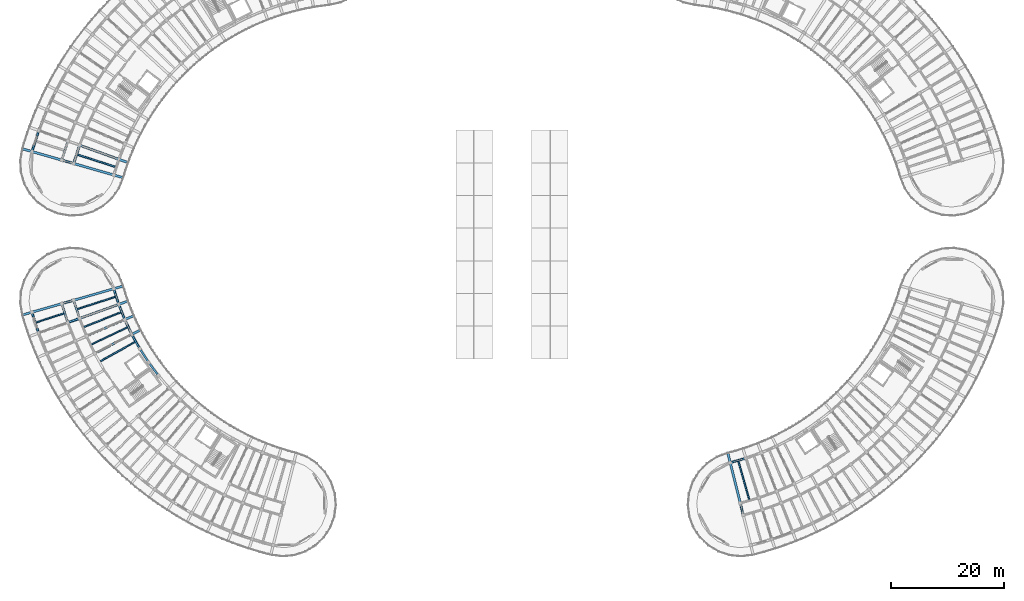
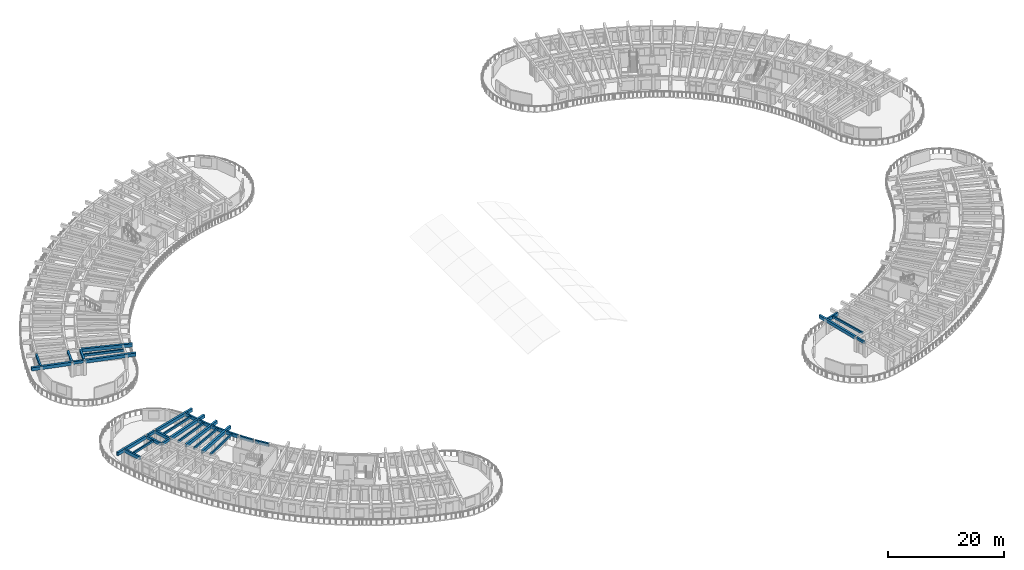
# One storey, part 11 of 96: 33 beams.
"""IFC4 building model written with IfcOpenShell, lengths in metres."""

from ifc_helpers import new_model, si_unit, direction, frame, origin, origin_2d, place, context, subcontext, project, spatial, rectangle, extrude, material, material_profile, profile_set, type_object, element, save


model = new_model("IFC4")

# Units and contexts
model_context = context("Model", 3, precision=1e-05, world=origin(), true_north=direction((0.0, 1.0)))
body_context = subcontext(model_context, "Body", "Model", "MODEL_VIEW")
ifc_project = project(units=[si_unit("LENGTHUNIT", "METRE"), si_unit("AREAUNIT", "SQUARE_METRE"), si_unit("VOLUMEUNIT", "CUBIC_METRE"), si_unit("PLANEANGLEUNIT", "RADIAN"), si_unit("MASSUNIT", "GRAM", prefix="KILO")], contexts=[model_context])

# Site, building, storey
site_placement = place(None, origin())
site = spatial("IfcSite", under=ifc_project, at=site_placement, CompositionType="ELEMENT")
building_placement = place(site_placement, origin())
building = spatial("IfcBuilding", under=site, at=building_placement, Name="Tanwirah Colonnade Gardens", CompositionType="ELEMENT")
storey_placement = place(building_placement, frame((0.0, 0.0, 12.199951171875)))
storey = spatial("IfcBuildingStorey", under=building, at=storey_placement, Name="L03", CompositionType="ELEMENT", Elevation=12.199951171875)

# Beams
ifc_material_1 = material(Name="Precast concrete C40/50", Category="concrete")
ifc_material_profile_1 = material_profile(ifc_material_1, rectangle(XDim=0.360107421875, YDim=0.610107421875, at=origin_2d()), Name="PC-BM 360x610")
ifc_profile_set_1 = profile_set([ifc_material_profile_1], Name="Precast concrete C40/50")
beam_type_1 = type_object("IfcBeamType", Name="BM-PC300", PredefinedType="BEAM", material=ifc_profile_set_1)
beam_1_placement = place(storey_placement, frame((15.20458984375, 50.0654296875, 2.800048828125), z_axis=(0.306977410573, -0.951716801048, 0.0), x_axis=(0.951716801048, 0.306977410573, 0.0)))
element("IfcBeam", 1, at=beam_1_placement, inside=storey, type_object=beam_type_1, Name="Block C L03 Circumferential Beam 0-R1", PredefinedType="BEAM", context=body_context, shape_type="SweptSolid", body=[
    extrude(rectangle(XDim=0.360107421875, YDim=0.610107421875, at=origin_2d()), origin(), (0.0, 0.0, 1.0), 3.093017578125),
])
beam_2_placement = place(storey_placement, frame((13.08984375, 49.458984375, 2.800048828125), z_axis=(0.306980742305, -0.951715726388, 0.0), x_axis=(0.951715726388, 0.306980742305, 0.0)))
element("IfcBeam", 2, at=beam_2_placement, inside=storey, type_object=beam_type_1, Name="Block C L03 Circumferential Beam 0-R2", PredefinedType="BEAM", context=body_context, shape_type="SweptSolid", body=[
    extrude(rectangle(XDim=0.360107421875, YDim=0.610107421875, at=origin_2d()), origin(), (0.0, 0.0, 1.0), 3.23681640625),
])
ifc_material_profile_2 = material_profile(ifc_material_1, rectangle(XDim=0.320068359375, YDim=0.52001953125, at=origin_2d()), Name="PC-BM 320x520")
ifc_profile_set_2 = profile_set([ifc_material_profile_2], Name="Precast concrete C40/50")
beam_type_2 = type_object("IfcBeamType", Name="BM-PC320", PredefinedType="BEAM", material=ifc_profile_set_2)
beam_3_placement = place(storey_placement, frame((133.579833984375, 14.044677734375, 2.844970703125), z_axis=(0.241961122321, -0.970285945114, 0.0), x_axis=(0.970285945114, 0.241961122321, 0.0)))
element("IfcBeam", 3, at=beam_3_placement, inside=storey, type_object=beam_type_2, Name="Block D L03 Corridor Tie Beam 0", PredefinedType="BEAM", context=body_context, shape_type="SweptSolid", body=[
    extrude(rectangle(XDim=0.320068359375, YDim=0.52001953125, at=origin_2d()), origin(), (0.0, 0.0, 1.0), 1.89990234375),
])
ifc_material_profile_3 = material_profile(ifc_material_1, rectangle(XDim=0.35009765625, YDim=0.550048828125, at=origin_2d()), Name="PC-BM 350x550")
ifc_profile_set_3 = profile_set([ifc_material_profile_3], Name="Precast concrete C40/50")
beam_type_3 = type_object("IfcBeamType", Name="BM-PC350A", PredefinedType="BEAM", material=ifc_profile_set_3)
for number, where, z_axis, x_axis, name in (
    (4, (15.014404296875, 74.533203125, 2.830078125), (-0.961266538157, 0.275620468433, 0.0), (-0.275620468433, -0.961266538157, 0.0), "Block A L03 Corridor Tie Beam 18"),
    (5, (15.014404296875, 50.166748046875, 2.830078125), (-0.961266538157, -0.275620468433, 0.0), (0.275620468433, -0.961266538157, 0.0), "Block C L03 Corridor Tie Beam 0"),
    (6, (16.058837890625, 46.92822265625, 2.830078125), (-0.941214575511, -0.337809299525, 0.0), (0.337809299525, -0.941214575511, 0.0), "Block C L03 Corridor Tie Beam 1"),
):
    element("IfcBeam", number, at=place(storey_placement, frame(where, z_axis=z_axis, x_axis=x_axis)), inside=storey, type_object=beam_type_3, Name=name, PredefinedType="BEAM", context=body_context, shape_type="SweptSolid", body=[
        extrude(rectangle(XDim=0.35009765625, YDim=0.550048828125, at=origin_2d()), origin(), (0.0, 0.0, 1.0), 1.89990234375),
    ])
ifc_material_profile_4 = material_profile(ifc_material_1, rectangle(XDim=0.35009765625, YDim=0.60009765625, at=origin_2d()), Name="PC-BM 350x600")
ifc_profile_set_4 = profile_set([ifc_material_profile_4], Name="Precast concrete C40/50")
beam_type_4 = type_object("IfcBeamType", Name="BM-PC350B", PredefinedType="BEAM", material=ifc_profile_set_4)
beam_4_placement = place(storey_placement, frame((16.162353515625, 77.601806640625, 2.804931640625), z_axis=(-0.307169780148, -0.951654730542, 0.0), x_axis=(0.951654730542, -0.307169780148, 0.0)))
element("IfcBeam", 7, at=beam_4_placement, inside=storey, type_object=beam_type_4, Name="Block A L03 Circumferential Beam 17-R1", PredefinedType="BEAM", context=body_context, shape_type="SweptSolid", body=[
    extrude(rectangle(XDim=0.35009765625, YDim=0.60009765625, at=origin_2d()), origin(), (0.0, 0.0, 1.0), 3.117919921875),
])
beam_5_placement = place(storey_placement, frame((14.09228515625, 78.34619140625, 2.804931640625), z_axis=(-0.307212636327, -0.9516408966, 0.0), x_axis=(0.9516408966, -0.307212636327, 0.0)))
element("IfcBeam", 8, at=beam_5_placement, inside=storey, type_object=beam_type_4, Name="Block A L03 Circumferential Beam 17-R2", PredefinedType="BEAM", context=body_context, shape_type="SweptSolid", body=[
    extrude(rectangle(XDim=0.35009765625, YDim=0.60009765625, at=origin_2d()), origin(), (0.0, 0.0, 1.0), 3.262939453125),
])
ifc_material_2 = material(Name="Precast concrete C45/55", Category="concrete")
ifc_material_profile_5 = material_profile(ifc_material_2, rectangle(XDim=0.39990234375, YDim=0.64990234375, at=origin_2d()), Name="PC-BM 400x650")
ifc_profile_set_5 = profile_set([ifc_material_profile_5], Name="Precast concrete C45/55")
beam_type_5 = type_object("IfcBeamType", Name="BM-PC400", PredefinedType="BEAM", material=ifc_profile_set_5)
beam_6_placement = place(storey_placement, frame((15.302734375, 50.24951171875, 2.780029296875), z_axis=(0.961258954076, 0.275646917646, 0.0), x_axis=(-0.275646917646, 0.961258954076, 0.0)))
element("IfcBeam", 9, at=beam_6_placement, inside=storey, type_object=beam_type_5, Name="Block C L03 Inner Radial Precast Girder 0", PredefinedType="BEAM", context=body_context, shape_type="SweptSolid", body=[
    extrude(rectangle(XDim=0.39990234375, YDim=0.64990234375, at=origin_2d()), origin(), (0.0, 0.0, 1.0), 8.949951171875),
])
beam_7_placement = place(storey_placement, frame((12.899658203125, 49.560546875, 2.780029296875), z_axis=(-0.961256910003, -0.275654045811, 0.0), x_axis=(0.275654045811, -0.961256910003, 0.0)))
element("IfcBeam", 10, at=beam_7_placement, inside=storey, type_object=beam_type_5, Name="Block C L03 Outer Radial Precast Girder 0", PredefinedType="BEAM", context=body_context, shape_type="SweptSolid", body=[
    extrude(rectangle(XDim=0.39990234375, YDim=0.64990234375, at=origin_2d()), origin(), (0.0, 0.0, 1.0), 7.050048828125),
])
beam_8_placement = place(storey_placement, frame((16.34130859375, 47.02978515625, 2.780029296875), z_axis=(0.941180212187, 0.337905028356, 0.0), x_axis=(-0.337905028356, 0.941180212187, 0.0)))
element("IfcBeam", 11, at=beam_8_placement, inside=storey, type_object=beam_type_5, Name="Block C L03 Inner Radial Precast Girder 1", PredefinedType="BEAM", context=body_context, shape_type="SweptSolid", body=[
    extrude(rectangle(XDim=0.39990234375, YDim=0.64990234375, at=origin_2d()), origin(), (0.0, 0.0, 1.0), 8.94970703125),
])
for number, where, z_axis, x_axis, name in (
    (12, (17.587890625, 43.884765625, 2.780029296875), (0.917069622575, 0.398727108872, 0.0), (-0.398727108872, 0.917069622575, 0.0), "Block C L03 Inner Radial Precast Girder 2"),
    (13, (19.037841796875, 40.827880859375, 2.780029296875), (0.889022337846, 0.457863825619, 0.0), (-0.457863825619, 0.889022337846, 0.0), "Block C L03 Inner Radial Precast Girder 3"),
    (14, (133.50732421875, 14.335693359375, 2.780029296875), (-0.241932243826, 0.970293146115, 0.0), (-0.970293146115, -0.241932243826, 0.0), "Block D L03 Inner Radial Precast Girder 0"),
):
    element("IfcBeam", number, at=place(storey_placement, frame(where, z_axis=z_axis, x_axis=x_axis)), inside=storey, type_object=beam_type_5, Name=name, PredefinedType="BEAM", context=body_context, shape_type="SweptSolid", body=[
        extrude(rectangle(XDim=0.39990234375, YDim=0.64990234375, at=origin_2d()), origin(), (0.0, 0.0, 1.0), 8.949951171875),
    ])
ifc_material_profile_6 = material_profile(ifc_material_2, rectangle(XDim=0.419921875, YDim=0.679931640625, at=origin_2d()), Name="PC-BM 420x680")
ifc_profile_set_6 = profile_set([ifc_material_profile_6], Name="Precast concrete C45/55")
beam_type_6 = type_object("IfcBeamType", Name="BM-PC420", PredefinedType="BEAM", material=ifc_profile_set_6)
for number, where, z_axis, x_axis, name in (
    (15, (16.349609375, 77.69384765625, 2.76513671875), (0.941017049702, -0.338359146723, 0.0), (0.338359146723, 0.941017049702, 0.0), "Block A L03 Inner Radial Precast Girder 17"),
    (16, (15.302734375, 74.450439453125, 2.76513671875), (0.961258954076, -0.275646917646, 0.0), (0.275646917646, 0.961258954076, 0.0), "Block A L03 Inner Radial Precast Girder 18"),
):
    element("IfcBeam", number, at=place(storey_placement, frame(where, z_axis=z_axis, x_axis=x_axis)), inside=storey, type_object=beam_type_6, Name=name, PredefinedType="BEAM", context=body_context, shape_type="SweptSolid", body=[
        extrude(rectangle(XDim=0.419921875, YDim=0.679931640625, at=origin_2d()), origin(), (0.0, 0.0, 1.0), 8.949951171875),
    ])
beam_9_placement = place(storey_placement, frame((12.899658203125, 75.1396484375, 2.76513671875), z_axis=(-0.961266085595, 0.275622046806, 0.0), x_axis=(-0.275622046806, -0.961266085595, 0.0)))
element("IfcBeam", 17, at=beam_9_placement, inside=storey, type_object=beam_type_6, Name="Block A L03 Outer Radial Precast Girder 18", PredefinedType="BEAM", context=body_context, shape_type="SweptSolid", body=[
    extrude(rectangle(XDim=0.419921875, YDim=0.679931640625, at=origin_2d()), origin(), (0.0, 0.0, 1.0), 7.0498046875),
])
ifc_material_profile_7 = material_profile(ifc_material_1, rectangle(XDim=0.2548828125, YDim=0.455078125, at=origin_2d()), Name="PC-JST 255x455")
ifc_profile_set_7 = profile_set([ifc_material_profile_7], Name="Precast concrete C40/50")
beam_type_7 = type_object("IfcBeamType", Name="JST-PC240", PredefinedType="JOIST", material=ifc_profile_set_7)
beam_10_placement = place(storey_placement, frame((133.191650390625, 21.6298828125, 2.87744140625), z_axis=(0.273532000762, -0.961862903204, 0.0), x_axis=(0.961862903204, 0.273532000762, 0.0)))
element("IfcBeam", 18, at=beam_10_placement, inside=storey, type_object=beam_type_7, Name="Block D L03 Inner Precast Floor Joist 0", PredefinedType="JOIST", context=body_context, shape_type="SweptSolid", body=[
    extrude(rectangle(XDim=0.2548828125, YDim=0.455078125, at=origin_2d()), origin(), (0.0, 0.0, 1.0), 7.159912109375),
])
ifc_material_profile_8 = material_profile(ifc_material_1, rectangle(XDim=0.25, YDim=0.449951171875, at=origin_2d()), Name="PC-JST 250x450")
ifc_profile_set_8 = profile_set([ifc_material_profile_8], Name="Precast concrete C40/50")
beam_type_8 = type_object("IfcBeamType", Name="JST-PC250", PredefinedType="JOIST", material=ifc_profile_set_8)
beam_11_placement = place(storey_placement, frame((13.44482421875, 47.873046875, 2.880126953125), z_axis=(-0.95172917624, -0.30693904133, 0.0), x_axis=(0.30693904133, -0.95172917624, 0.0)))
element("IfcBeam", 19, at=beam_11_placement, inside=storey, type_object=beam_type_8, Name="Block C L03 Precast Floor Joist 0", PredefinedType="JOIST", context=body_context, shape_type="SweptSolid", body=[
    extrude(rectangle(XDim=0.25, YDim=0.449951171875, at=origin_2d()), origin(), (0.0, 0.0, 1.0), 5.260009765625),
])
for number, where, z_axis, x_axis, name in (
    (20, (22.58154296875, 50.819580078125, 2.880126953125), (-0.951727255502, -0.30694499692, 0.0), (0.30694499692, -0.951727255502, 0.0), "Block C L03 Inner Precast Floor Joist 0"),
    (21, (23.567138671875, 48.07470703125, 2.880126953125), (-0.929619798141, -0.368520054956, 0.0), (0.368520054956, -0.929619798141, 0.0), "Block C L03 Inner Precast Floor Joist 1"),
):
    element("IfcBeam", number, at=place(storey_placement, frame(where, z_axis=z_axis, x_axis=x_axis)), inside=storey, type_object=beam_type_8, Name=name, PredefinedType="JOIST", context=body_context, shape_type="SweptSolid", body=[
        extrude(rectangle(XDim=0.25, YDim=0.449951171875, at=origin_2d()), origin(), (0.0, 0.0, 1.0), 7.16015625),
    ])
for number, where, z_axis, x_axis, name in (
    (22, (24.72998046875, 45.39990234375, 2.880126953125), (-0.903522492189, -0.428540670308, 0.0), (0.428540670308, -0.903522492189, 0.0), "Block C L03 Inner Precast Floor Joist 2"),
    (23, (26.0654296875, 42.80712890625, 2.880126953125), (-0.873559899034, -0.486716655561, 0.0), (0.486716655561, -0.873559899034, 0.0), "Block C L03 Inner Precast Floor Joist 3"),
):
    element("IfcBeam", number, at=place(storey_placement, frame(where, z_axis=z_axis, x_axis=x_axis)), inside=storey, type_object=beam_type_8, Name=name, PredefinedType="JOIST", context=body_context, shape_type="SweptSolid", body=[
        extrude(rectangle(XDim=0.25, YDim=0.449951171875, at=origin_2d()), origin(), (0.0, 0.0, 1.0), 7.159912109375),
    ])
ifc_material_profile_9 = material_profile(ifc_material_1, rectangle(XDim=0.280029296875, YDim=0.47998046875, at=origin_2d()), Name="PC-JST 280x480")
ifc_profile_set_9 = profile_set([ifc_material_profile_9], Name="Precast concrete C40/50")
beam_type_9 = type_object("IfcBeamType", Name="JST-PC280", PredefinedType="JOIST", material=ifc_profile_set_9)
beam_12_placement = place(storey_placement, frame((22.584716796875, 73.890625, 2.864990234375), z_axis=(-0.951647858625, 0.307191069489, 0.0), x_axis=(-0.307191069489, -0.951647858625, 0.0)))
element("IfcBeam", 24, at=beam_12_placement, inside=storey, type_object=beam_type_9, Name="Block A L03 Inner Precast Floor Joist 17", PredefinedType="JOIST", context=body_context, shape_type="SweptSolid", body=[
    extrude(rectangle(XDim=0.280029296875, YDim=0.47998046875, at=origin_2d()), origin(), (0.0, 0.0, 1.0), 7.159912109375),
])
ifc_material_profile_10 = material_profile(ifc_material_1, rectangle(XDim=0.324951171875, YDim=0.68505859375, at=origin_2d()), Name="PC-SP 325x685")
ifc_profile_set_10 = profile_set([ifc_material_profile_10], Name="Precast concrete C40/50")
beam_type_10 = type_object("IfcBeamType", Name="SP-PC260", PredefinedType="SPANDREL", material=ifc_profile_set_10)
beam_13_placement = place(storey_placement, frame((131.897705078125, 21.411376953125, 2.762451171875), z_axis=(0.961858721299, 0.273546705814, 0.0), x_axis=(-0.273546705814, 0.961858721299, 0.0)))
element("IfcBeam", 25, at=beam_13_placement, inside=storey, type_object=beam_type_10, Name="Block D L03 Circumferential Beam 0-R0", PredefinedType="SPANDREL", context=body_context, shape_type="SweptSolid", body=[
    extrude(rectangle(XDim=0.324951171875, YDim=0.68505859375, at=origin_2d()), origin(), (0.0, 0.0, 1.0), 2.60888671875),
])
ifc_material_profile_11 = material_profile(ifc_material_1, rectangle(XDim=0.330078125, YDim=0.68994140625, at=origin_2d()), Name="PC-SP 330x690")
ifc_profile_set_11 = profile_set([ifc_material_profile_11], Name="Precast concrete C40/50")
beam_type_11 = type_object("IfcBeamType", Name="SP-PC280", PredefinedType="SPANDREL", material=ifc_profile_set_11)
beam_14_placement = place(storey_placement, frame((22.31787109375, 52.105224609375, 2.760009765625), z_axis=(0.306948094518, -0.951726256479, 0.0), x_axis=(0.951726256479, 0.306948094518, 0.0)))
element("IfcBeam", 26, at=beam_14_placement, inside=storey, type_object=beam_type_11, Name="Block C L03 Circumferential Beam 0-R0", PredefinedType="SPANDREL", context=body_context, shape_type="SweptSolid", body=[
    extrude(rectangle(XDim=0.330078125, YDim=0.68994140625, at=origin_2d()), origin(), (0.0, 0.0, 1.0), 2.60888671875),
])
beam_15_placement = place(storey_placement, frame((7.802978515625, 47.943115234375, 2.760009765625), z_axis=(0.306927419976, -0.951732924127, 0.0), x_axis=(0.951732924127, 0.306927419976, 0.0)))
element("IfcBeam", 27, at=beam_15_placement, inside=storey, type_object=beam_type_11, Name="Block C L03 Circumferential Beam 0-R3", PredefinedType="SPANDREL", context=body_context, shape_type="SweptSolid", body=[
    extrude(rectangle(XDim=0.330078125, YDim=0.68994140625, at=origin_2d()), origin(), (0.0, 0.0, 1.0), 3.596923828125),
])
beam_16_placement = place(storey_placement, frame((23.219970703125, 49.340087890625, 2.760009765625), z_axis=(0.368549031306, -0.929608310808, 0.0), x_axis=(0.929608310808, 0.368549031306, 0.0)))
element("IfcBeam", 28, at=beam_16_placement, inside=storey, type_object=beam_type_11, Name="Block C L03 Circumferential Beam 1-R0", PredefinedType="SPANDREL", context=body_context, shape_type="SweptSolid", body=[
    extrude(rectangle(XDim=0.330078125, YDim=0.68994140625, at=origin_2d()), origin(), (0.0, 0.0, 1.0), 2.608642578125),
])
beam_17_placement = place(storey_placement, frame((24.301025390625, 46.64013671875, 2.760009765625), z_axis=(0.428512709915, -0.903535753272, 0.0), x_axis=(0.903535753272, 0.428512709915, 0.0)))
element("IfcBeam", 29, at=beam_17_placement, inside=storey, type_object=beam_type_11, Name="Block C L03 Circumferential Beam 2-R0", PredefinedType="SPANDREL", context=body_context, shape_type="SweptSolid", body=[
    extrude(rectangle(XDim=0.330078125, YDim=0.68994140625, at=origin_2d()), origin(), (0.0, 0.0, 1.0), 2.60888671875),
])
beam_18_placement = place(storey_placement, frame((25.55615234375, 44.016357421875, 2.760009765625), z_axis=(0.486747049114, -0.873542964129, 0.0), x_axis=(0.873542964129, 0.486747049114, 0.0)))
element("IfcBeam", 30, at=beam_18_placement, inside=storey, type_object=beam_type_11, Name="Block C L03 Circumferential Beam 3-R0", PredefinedType="SPANDREL", context=body_context, shape_type="SweptSolid", body=[
    extrude(rectangle(XDim=0.330078125, YDim=0.68994140625, at=origin_2d()), origin(), (0.0, 0.0, 1.0), 2.608642578125),
])
beam_19_placement = place(storey_placement, frame((26.980224609375, 41.48046875, 2.760009765625), z_axis=(0.542874837406, -0.83981361677, 0.0), x_axis=(0.83981361677, 0.542874837406, 0.0)))
element("IfcBeam", 31, at=beam_19_placement, inside=storey, type_object=beam_type_11, Name="Block C L03 Circumferential Beam 4-R0", PredefinedType="SPANDREL", context=body_context, shape_type="SweptSolid", body=[
    extrude(rectangle(XDim=0.330078125, YDim=0.68994140625, at=origin_2d()), origin(), (0.0, 0.0, 1.0), 2.60888671875),
])
beam_20_placement = place(storey_placement, frame((28.5673828125, 39.043212890625, 2.760009765625), z_axis=(0.596565220249, -0.802564600508, 0.0), x_axis=(0.802564600508, 0.596565220249, 0.0)))
element("IfcBeam", 32, at=beam_20_placement, inside=storey, type_object=beam_type_11, Name="Block C L03 Circumferential Beam 5-R0", PredefinedType="SPANDREL", context=body_context, shape_type="SweptSolid", body=[
    extrude(rectangle(XDim=0.330078125, YDim=0.68994140625, at=origin_2d()), origin(), (0.0, 0.0, 1.0), 2.6083984375),
])
ifc_material_profile_12 = material_profile(ifc_material_2, rectangle(XDim=0.320068359375, YDim=0.679931640625, at=origin_2d()), Name="PC-SP 320x680")
ifc_profile_set_12 = profile_set([ifc_material_profile_12], Name="Precast concrete C45/55")
beam_type_12 = type_object("IfcBeamType", Name="SP-PC320", PredefinedType="SPANDREL", material=ifc_profile_set_12)
beam_21_placement = place(storey_placement, frame((8.916748046875, 80.207275390625, 2.76513671875), z_axis=(-0.307183773768, -0.951650213647, 0.0), x_axis=(0.951650213647, -0.307183773768, 0.0)))
element("IfcBeam", 33, at=beam_21_placement, inside=storey, type_object=beam_type_12, Name="Block A L03 Circumferential Beam 17-R3", PredefinedType="SPANDREL", context=body_context, shape_type="SweptSolid", body=[
    extrude(rectangle(XDim=0.320068359375, YDim=0.679931640625, at=origin_2d()), origin(), (0.0, 0.0, 1.0), 3.625732421875),
])

save(model, "model.ifc")
